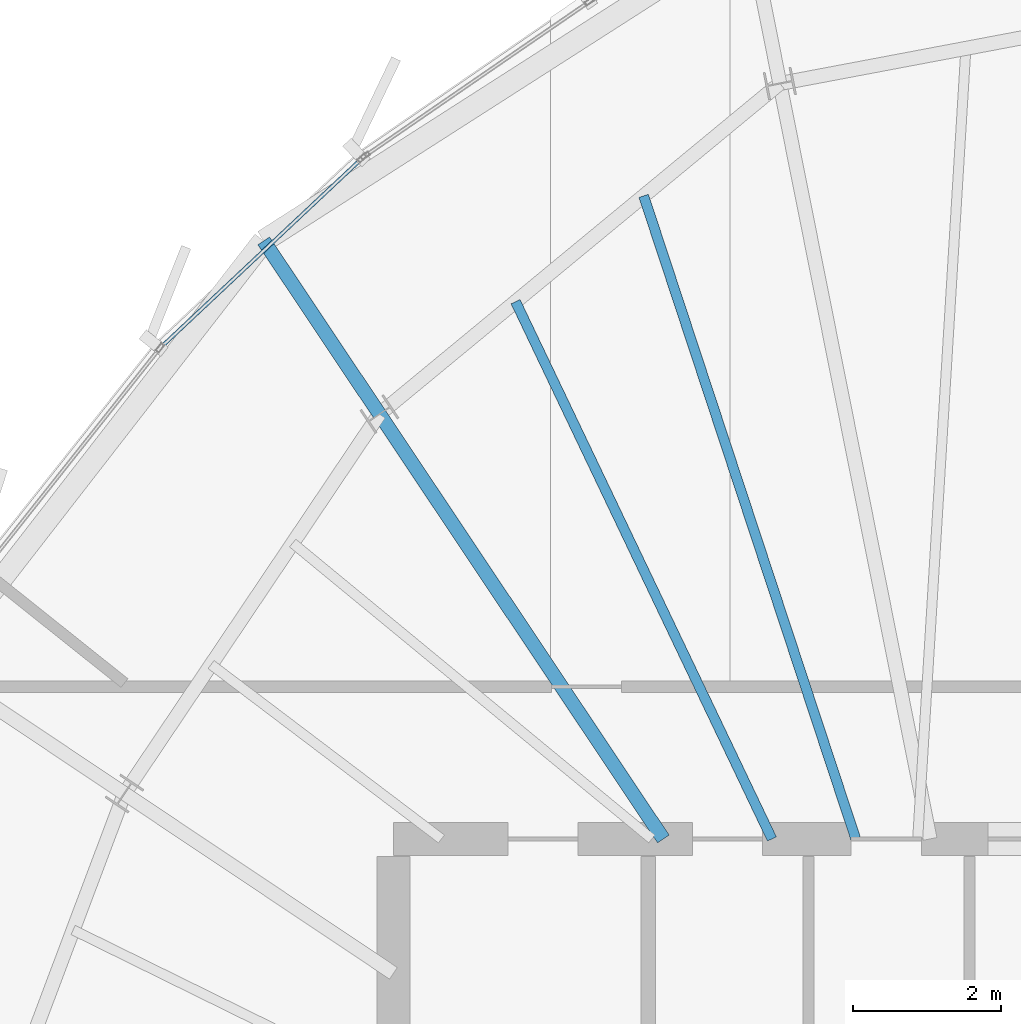
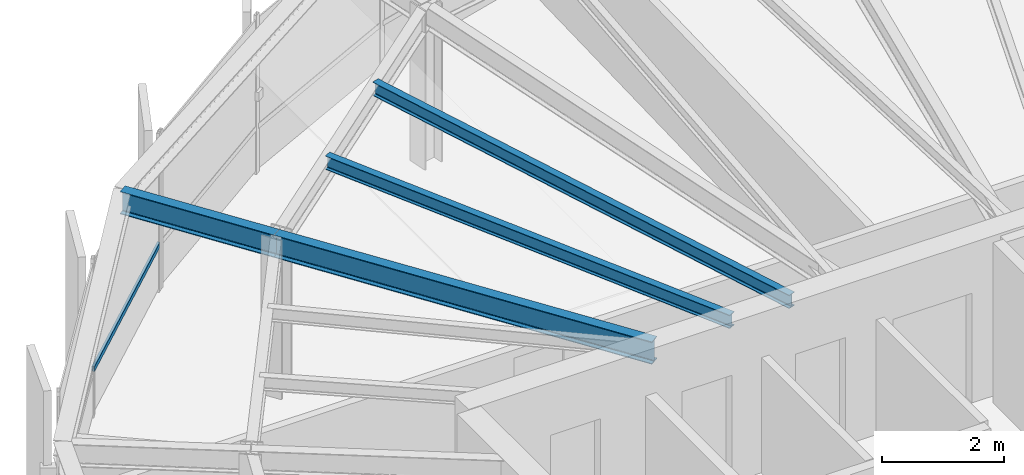
# One storey, part 18 of 31: 4 beams, 1 member, 1 element without a shape of its own.
"""IFC4 building model written with IfcOpenShell, lengths in metres."""

from ifc_helpers import new_model, si_unit, direction, frame, origin, origin_2d, place, context, subcontext, project, spatial, hollow_rectangle, i_section, extrude, source, transform, mapped, material, layer, layer_set, material_profile, profile_set, type_object, element, aggregate, save


model = new_model("IFC4")

# Units and contexts
model_context = context("Model", 3, precision=1e-05, world=origin(), true_north=direction((0.0, 1.0)))
body_context = subcontext(model_context, "Body", "Model", "MODEL_VIEW")
ifc_project = project(units=[si_unit("LENGTHUNIT", "METRE"), si_unit("AREAUNIT", "SQUARE_METRE"), si_unit("VOLUMEUNIT", "CUBIC_METRE"), si_unit("PLANEANGLEUNIT", "RADIAN"), si_unit("MASSUNIT", "GRAM", prefix="KILO"), si_unit("THERMODYNAMICTEMPERATUREUNIT", "KELVIN")], contexts=[model_context])

# Site, building, storey
site_placement = place(None, origin())
site = spatial("IfcSite", under=ifc_project, at=site_placement, CompositionType="ELEMENT")
building_placement = place(site_placement, origin())
building = spatial("IfcBuilding", under=site, at=building_placement, Name="Kethvar Cultural Tower", CompositionType="ELEMENT")
storey_placement = place(building_placement, frame((0.0, 0.0, 290.5)))
storey = spatial("IfcBuildingStorey", under=building, at=storey_placement, Name="L77", CompositionType="ELEMENT", Elevation=290.5)

# Beams
ifc_material_1 = material(Name="Steel S355J2", Category="steel")
ifc_material_profile_1 = material_profile(ifc_material_1, i_section(OverallWidth=0.18994140625, OverallDepth=0.449951171875, WebThickness=0.009521484375, FlangeThickness=0.0146484375, FilletRadius=0.02099609375, at=origin_2d()), Name="Steel S355J2 — IPE450")
ifc_profile_set_1 = profile_set([ifc_material_profile_1], Name="Steel S355J2 — IPE450")
beam_type_1 = type_object("IfcBeamType", Name="BM-IPE450", PredefinedType="BEAM", material=ifc_profile_set_1)
shared_shape_1 = source(origin(), body_context, "Body", "SweptSolid", [
    extrude(i_section(OverallWidth=0.18994140625, OverallDepth=0.449951171875, WebThickness=0.009521484375, FlangeThickness=0.0146484375, FilletRadius=0.02099609375, at=origin_2d()), origin(), (0.0, 0.0, 1.0), 6.921630859375),
])
beam_1_placement = place(storey_placement, frame((41.655029296875, 35.5, 2.98291015625), z_axis=(-0.555570841874, 0.831469205479, 0.0), x_axis=(-0.831469205479, -0.555570841874, 0.0)))
element("IfcBeam", 1, at=beam_1_placement, inside=storey, type_object=beam_type_1, Name="L77 Primary Radial Beam RB-06", PredefinedType="BEAM", context=body_context, shape_type="MappedRepresentation", body=[
    mapped(shared_shape_1, transform((0.0, 0.0, 0.0), scale=1.0)),
])
ifc_material_profile_2 = material_profile(ifc_material_1, i_section(OverallWidth=0.135009765625, OverallDepth=0.27001953125, WebThickness=0.006591796875, FlangeThickness=0.01025390625, FilletRadius=0.014892578125, at=origin_2d()), Name="Steel S355J2 — IPE270")
ifc_profile_set_2 = profile_set([ifc_material_profile_2], Name="Steel S355J2 — IPE270")
beam_type_2 = type_object("IfcBeamType", Name="BM-J270", PredefinedType="JOIST", material=ifc_profile_set_2)
shared_shape_2 = source(origin(), body_context, "Body", "SweptSolid", [
    extrude(i_section(OverallWidth=0.135009765625, OverallDepth=0.27001953125, WebThickness=0.006591796875, FlangeThickness=0.01025390625, FilletRadius=0.014892578125, at=origin_2d()), origin(), (0.0, 0.0, 1.0), 9.17138671875),
])
beam_2_placement = place(storey_placement, frame((44.260986328125, 35.5, 3.072998046875), z_axis=(-0.313151555446, 0.949703165901, 0.0), x_axis=(-0.949703165901, -0.313151555446, 0.0)))
element("IfcBeam", 2, at=beam_2_placement, inside=storey, type_object=beam_type_2, Name="L77 Composite Floor Joist J-05A", PredefinedType="JOIST", context=body_context, shape_type="MappedRepresentation", body=[
    mapped(shared_shape_2, transform((0.0, 0.0, 0.0), scale=1.0)),
])
shared_shape_3 = source(origin(), body_context, "Body", "SweptSolid", [
    extrude(i_section(OverallWidth=0.135009765625, OverallDepth=0.27001953125, WebThickness=0.006591796875, FlangeThickness=0.01025390625, FilletRadius=0.014892578125, at=origin_2d()), origin(), (0.0, 0.0, 1.0), 8.063232421875),
])
beam_3_placement = place(storey_placement, frame((43.1259765625, 35.5, 3.072998046875), z_axis=(-0.430642151588, 0.902522762746, 0.0), x_axis=(-0.902522762746, -0.430642151588, 0.0)))
element("IfcBeam", 3, at=beam_3_placement, inside=storey, type_object=beam_type_2, Name="L77 Composite Floor Joist J-05B", PredefinedType="JOIST", context=body_context, shape_type="MappedRepresentation", body=[
    mapped(shared_shape_3, transform((0.0, 0.0, 0.0), scale=1.0)),
])
shared_shape_4 = source(origin(), body_context, "Body", "SweptSolid", [
    extrude(i_section(OverallWidth=0.18994140625, OverallDepth=0.449951171875, WebThickness=0.009521484375, FlangeThickness=0.0146484375, FilletRadius=0.02099609375, at=origin_2d()), origin(), (0.0, 0.0, 1.0), 2.82177734375),
])
beam_4_placement = place(storey_placement, frame((37.8095703125, 41.255126953125, 2.98291015625), z_axis=(-0.555558466467, 0.831477474341, 0.0), x_axis=(-0.831477474341, -0.555558466467, 0.0)))
element("IfcBeam", 4, at=beam_4_placement, inside=storey, type_object=beam_type_1, Name="L77 Perimeter Cantilever Beam RC-06", PredefinedType="BEAM", context=body_context, shape_type="MappedRepresentation", body=[
    mapped(shared_shape_4, transform((0.0, 0.0, 0.0), scale=1.0)),
])

# Curtain wall, member
ifc_material_2 = material(Name="Aluminium 6063-T6", Category="aluminium")
ifc_layer = layer(ifc_material_2, 0.179931640625, Name="Aluminium 6063-T6", Category="aluminium")
ifc_layer_set = layer_set([ifc_layer], Name="Aluminium 6063-T6 (180 mm)")
curtain_wall_type = type_object("IfcCurtainWallType", Name="CW-SYS-05-Z56", PredefinedType="NOTDEFINED", material=ifc_layer_set)
curtain_wall_placement = place(storey_placement, origin())
curtain_wall = element("IfcCurtainWall", 5, at=curtain_wall_placement, inside=storey, type_object=curtain_wall_type, Name="L77 Curtain Wall Run 02", PredefinedType="NOTDEFINED")
ifc_material_profile_3 = material_profile(ifc_material_2, hollow_rectangle(XDim=0.050048828125, YDim=0.10009765625, WallThickness=0.00390625, at=origin_2d()), Name="Aluminium 6063-T6 — RHS100x50x4")
ifc_profile_set_3 = profile_set([ifc_material_profile_3], Name="Aluminium 6063-T6 — RHS100x50x4")
member_type = type_object("IfcMemberType", Name="CW-SYS-05-Z56-TRN", PredefinedType="USERDEFINED", material=ifc_profile_set_3)
shared_shape_5 = source(origin(), body_context, "Body", "SweptSolid", [
    extrude(hollow_rectangle(XDim=0.050048828125, YDim=0.10009765625, WallThickness=0.00390625, at=origin_2d()), origin(), (0.0, 0.0, 1.0), 3.727294921875),
])
member_placement = place(storey_placement, frame((37.572265625, 44.716796875, 0.949951171875), z_axis=(-0.728803499516, -0.684722906798, 0.0), x_axis=(0.684722906798, -0.728803499516, 0.0)))
member = element("IfcMember", 6, at=member_placement, type_object=member_type, Name="CW-L77-R02 Transom 1", ObjectType="TRANSOM", PredefinedType="USERDEFINED", context=body_context, shape_type="MappedRepresentation", body=[
    mapped(shared_shape_5, transform((0.0, 0.0, 0.0), scale=1.0)),
])
aggregate(curtain_wall, [member])

save(model, "model.ifc")
